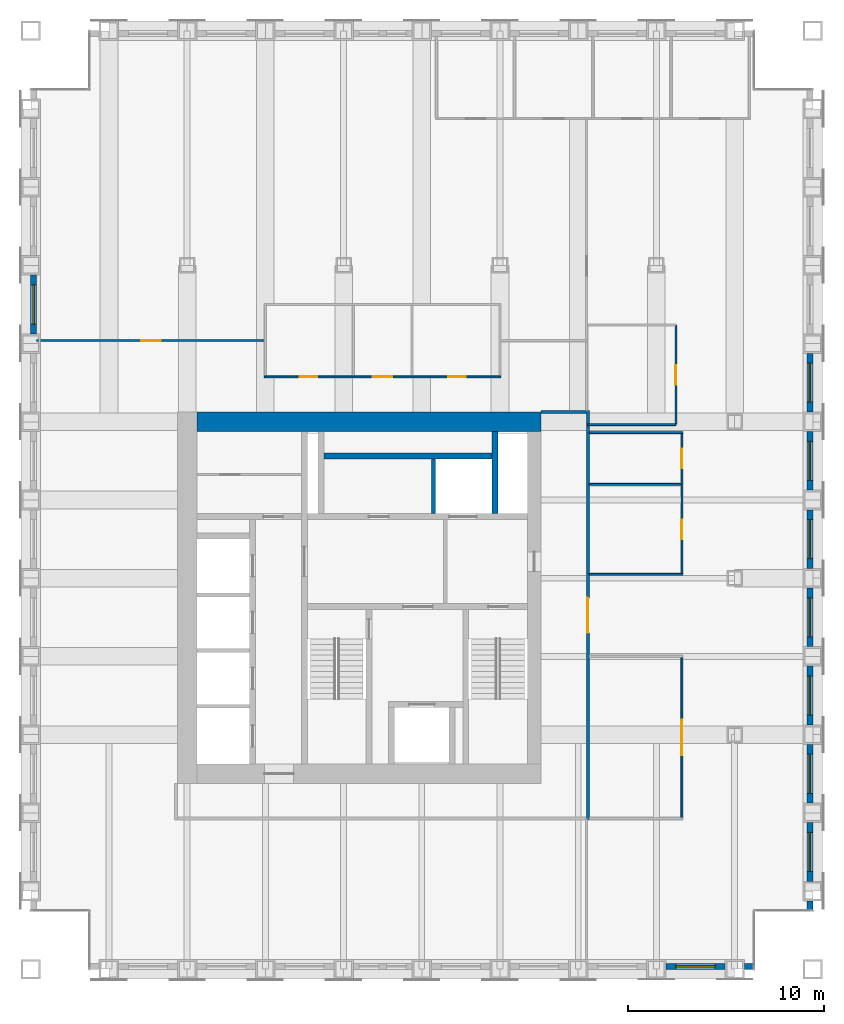
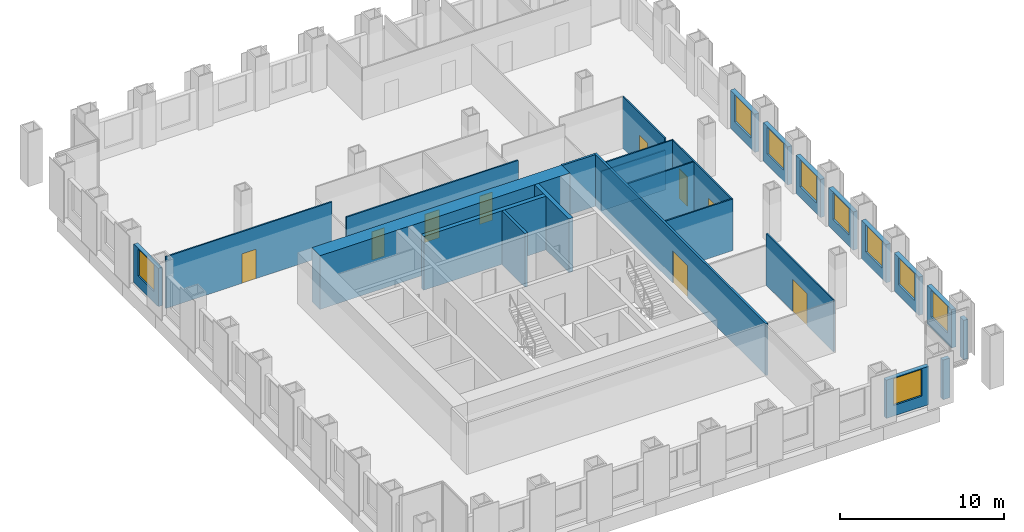
# One storey, part 10 of 13: 26 walls, 9 doors, 9 windows, 18 openings.
"""IFC4 building model written with IfcOpenShell, lengths in metres."""

from ifc_helpers import new_model, si_unit, direction, frame, frame_2d, origin, place, context, subcontext, project, spatial, rectangle, extrude, material, layer, layer_set, type_object, element, fill, save


model = new_model("IFC4")

# Units and contexts
model_context = context("Model", 3, precision=1e-05, world=origin(), true_north=direction((0.0, 1.0)))
body_context = subcontext(model_context, "Body", "Model", "MODEL_VIEW")
ifc_project = project(units=[si_unit("LENGTHUNIT", "METRE"), si_unit("AREAUNIT", "SQUARE_METRE"), si_unit("VOLUMEUNIT", "CUBIC_METRE"), si_unit("PLANEANGLEUNIT", "RADIAN"), si_unit("MASSUNIT", "GRAM", prefix="KILO")], contexts=[model_context])

# Site, building, storey
site_placement = place(None, origin())
site = spatial("IfcSite", under=ifc_project, at=site_placement, CompositionType="ELEMENT")
building_placement = place(site_placement, origin())
building = spatial("IfcBuilding", under=site, at=building_placement, Name="Rimbunsela Tower", CompositionType="ELEMENT")
storey_placement = place(building_placement, frame((0.0, 0.0, 214.199951171875)))
storey = spatial("IfcBuildingStorey", under=building, at=storey_placement, Name="L51", CompositionType="ELEMENT", Elevation=214.199951171875)

# Walls
ifc_material_1 = material(Name="Concrete fc' 80 MPa", Category="concrete")
ifc_layer_1 = layer(ifc_material_1, 0.300048828125)
ifc_layer_set_1 = layer_set([ifc_layer_1], Name="Core internal wall 300")
wall_type_1 = type_object("IfcWallType", Name="Core internal wall 300", PredefinedType="SHEAR", material=ifc_layer_set_1)
wall_1_placement = place(storey_placement, frame((33.75, 31.300048828125, -0.14990234375), z_axis=(0.0, 0.0, 1.0), x_axis=(0.0, 1.0, 0.0)))
element("IfcWall", 1, at=wall_1_placement, inside=storey, type_object=wall_type_1, Name="Riser wall", PredefinedType="SHEAR", context=body_context, shape_type="SweptSolid", body=[
    extrude(rectangle(XDim=4.199951171875, YDim=0.300048828125, at=frame_2d((2.10009765625, 0.0))), origin(), (0.0, 0.0, 1.0), 4.0),
])
wall_2_placement = place(storey_placement, frame((25.0, 34.25, -0.14990234375), z_axis=(0.0, 0.0, 1.0), x_axis=(1.0, 0.0, 0.0)))
element("IfcWall", 2, at=wall_2_placement, inside=storey, type_object=wall_type_1, Name="Lift shaft rear north", PredefinedType="SHEAR", context=body_context, shape_type="SweptSolid", body=[
    extrude(rectangle(XDim=8.60009765625, YDim=0.300048828125, at=frame_2d((4.300048828125, 0.0))), origin(), (0.0, 0.0, 1.0), 4.0),
])
ifc_material_2 = material(Name="Concrete fc' 80 MPa", Category="concrete")
ifc_layer_2 = layer(ifc_material_2, 1.0)
ifc_layer_set_2 = layer_set([ifc_layer_2], Name="Core wall 1000")
wall_type_2 = type_object("IfcWallType", Name="Core wall 1000", PredefinedType="SHEAR", material=ifc_layer_set_2)
wall_3_placement = place(storey_placement, frame((18.5, 36.0, -0.14990234375), z_axis=(0.0, 0.0, 1.0), x_axis=(1.0, 0.0, 0.0)))
element("IfcWall", 3, at=wall_3_placement, inside=storey, type_object=wall_type_2, Name="Core wall north", PredefinedType="SHEAR", context=body_context, shape_type="SweptSolid", body=[
    extrude(rectangle(XDim=17.60009765625, YDim=1.0, at=frame_2d((8.800048828125, 0.0))), origin(), (0.0, 0.0, 1.0), 4.0),
])
ifc_material_3 = material(Name="Concrete blockwork", Category="masonry")
ifc_layer_3 = layer(ifc_material_3, 0.199951171875)
ifc_layer_set_3 = layer_set([ifc_layer_3], Name="Lift shaft wall 200")
wall_type_3 = type_object("IfcWallType", Name="Lift shaft wall 200", PredefinedType="SOLIDWALL", material=ifc_layer_set_3)
wall_4_placement = place(storey_placement, frame((30.60009765625, 31.300048828125, -0.14990234375), z_axis=(0.0, 0.0, 1.0), x_axis=(0.0, 1.0, 0.0)))
element("IfcWall", 4, at=wall_4_placement, inside=storey, type_object=wall_type_3, Name="Lift shaft separation", PredefinedType="SOLIDWALL", context=body_context, shape_type="SweptSolid", body=[
    extrude(rectangle(XDim=2.800048828125, YDim=0.199951171875, at=frame_2d((1.39990234375, 0.0))), origin(), (0.0, 0.0, 1.0), 4.0),
])
ifc_material_4 = material(Name="Gypsum board on steel studs", Category="steel")
ifc_layer_4 = layer(ifc_material_4, 0.10009765625)
ifc_layer_set_4 = layer_set([ifc_layer_4], Name="Office partition 100")
wall_type_4 = type_object("IfcWallType", Name="Office partition 100", PredefinedType="PARTITIONING", material=ifc_layer_set_4)
wall_5_placement = place(storey_placement, frame((38.574951171875, 28.199951171875, 0.0), z_axis=(0.0, 0.0, 1.0), x_axis=(1.0, 0.0, 0.0)))
element("IfcWall", 5, at=wall_5_placement, inside=storey, type_object=wall_type_4, Name="Office partition", PredefinedType="PARTITIONING", context=body_context, shape_type="SweptSolid", body=[
    extrude(rectangle(XDim=4.775146484375, YDim=0.10009765625, at=frame_2d((2.3876953125, 0.0))), origin(), (0.0, 0.0, 1.0), 3.85009765625),
])
wall_6_placement = place(storey_placement, frame((38.574951171875, 32.800048828125, 0.0), z_axis=(0.0, 0.0, 1.0), x_axis=(1.0, 0.0, 0.0)))
element("IfcWall", 6, at=wall_6_placement, inside=storey, type_object=wall_type_4, Name="Office partition", PredefinedType="PARTITIONING", context=body_context, shape_type="SweptSolid", body=[
    extrude(rectangle(XDim=4.675048828125, YDim=0.10009765625, at=frame_2d((2.33740234375, 0.0))), origin(), (0.0, 0.0, 1.0), 3.85009765625),
])
wall_7_placement = place(storey_placement, frame((38.574951171875, 35.449951171875, 0.0), z_axis=(0.0, 0.0, 1.0), x_axis=(1.0, 0.0, 0.0)))
element("IfcWall", 7, at=wall_7_placement, inside=storey, type_object=wall_type_4, Name="Office partition", PredefinedType="PARTITIONING", context=body_context, shape_type="SweptSolid", body=[
    extrude(rectangle(XDim=4.775146484375, YDim=0.10009765625, at=frame_2d((2.3876953125, 0.0))), origin(), (0.0, 0.0, 1.0), 3.85009765625),
])

# Wall, opening, door
wall_8_placement = place(storey_placement, frame((43.300048828125, 15.75, 0.0), z_axis=(0.0, 0.0, 1.0), x_axis=(0.0, 1.0, 0.0)))
wall_8 = element("IfcWall", 8, at=wall_8_placement, inside=storey, type_object=wall_type_4, Name="Office partition", PredefinedType="PARTITIONING", context=body_context, shape_type="SweptSolid", body=[
    extrude(rectangle(XDim=8.199951171875, YDim=0.10009765625, at=frame_2d((4.10009765625, 0.0))), origin(), (0.0, 0.0, 1.0), 3.85009765625),
])
opening_1_placement = place(wall_8_placement, frame((3.199951171875, 0.0, 0.0)))
opening_1 = element("IfcOpeningElement", 9, at=opening_1_placement, cuts=wall_8, Name="Opening D18", PredefinedType="OPENING", context=body_context, shape_type="SweptSolid", body=[
    extrude(rectangle(XDim=1.800048828125, YDim=2.39990234375, at=frame_2d((0.89990234375, 1.199951171875))), frame((0.0, 0.06005859375, 0.0), z_axis=(0.0, -1.0, 0.0), x_axis=(1.0, 0.0, 0.0)), (0.0, 0.0, 1.0), 0.1201171875),
])
ifc_material_5 = material(Name="Glazed aluminium door", Category="aluminium")
door_type_1 = type_object("IfcDoorType", Name="Boardroom door 1800 glazed", OperationType="DOUBLE_DOOR_DOUBLE_SWING", PredefinedType="DOOR", material=ifc_material_5)
door_1_placement = place(opening_1_placement, origin())
door_1 = element("IfcDoor", 10, at=door_1_placement, inside=storey, type_object=door_type_1, Name="Boardroom door", OperationType="DOUBLE_DOOR_DOUBLE_SWING", OverallHeight=2.39990234375, OverallWidth=1.800048828125, PredefinedType="DOOR", context=body_context, shape_type="SweptSolid", body=[
    extrude(rectangle(XDim=1.800048828125, YDim=2.39990234375, at=frame_2d((0.89990234375, 1.199951171875))), frame((0.0, 0.02490234375, 0.0), z_axis=(0.0, -1.0, 0.0), x_axis=(1.0, 0.0, 0.0)), (0.0, 0.0, 1.0), 0.050048828125),
])
fill(opening_1, door_1)

# Wall, openings, doors
wall_9_placement = place(storey_placement, frame((43.300048828125, 28.25, 0.0), z_axis=(0.0, 0.0, 1.0), x_axis=(0.0, 1.0, 0.0)))
wall_9 = element("IfcWall", 11, at=wall_9_placement, inside=storey, type_object=wall_type_4, Name="Office partition", PredefinedType="PARTITIONING", context=body_context, shape_type="SweptSolid", body=[
    extrude(rectangle(XDim=7.14990234375, YDim=0.10009765625, at=frame_2d((3.574951171875, 0.0))), origin(), (0.0, 0.0, 1.0), 3.85009765625),
])
opening_2_placement = place(wall_9_placement, frame((1.75, 0.0, 0.0)))
opening_2 = element("IfcOpeningElement", 12, at=opening_2_placement, cuts=wall_9, Name="Opening D16", PredefinedType="OPENING", context=body_context, shape_type="SweptSolid", body=[
    extrude(rectangle(XDim=1.0, YDim=2.199951171875, at=frame_2d((0.5, 1.10009765625))), frame((0.0, 0.06005859375, 0.0), z_axis=(0.0, -1.0, 0.0), x_axis=(1.0, 0.0, 0.0)), (0.0, 0.0, 1.0), 0.1201171875),
])
opening_3_placement = place(wall_9_placement, frame((5.375, 0.0, 0.0)))
opening_3 = element("IfcOpeningElement", 13, at=opening_3_placement, cuts=wall_9, Name="Opening D16", PredefinedType="OPENING", context=body_context, shape_type="SweptSolid", body=[
    extrude(rectangle(XDim=1.0, YDim=2.199951171875, at=frame_2d((0.5, 1.10009765625))), frame((0.0, 0.06005859375, 0.0), z_axis=(0.0, -1.0, 0.0), x_axis=(1.0, 0.0, 0.0)), (0.0, 0.0, 1.0), 0.1201171875),
])
ifc_material_6 = material(Name="Timber door", Category="wood")
door_type_2 = type_object("IfcDoorType", Name="Office door 1000", OperationType="SINGLE_SWING_LEFT", PredefinedType="DOOR", material=ifc_material_6)
door_2_placement = place(opening_2_placement, origin())
door_2 = element("IfcDoor", 14, at=door_2_placement, inside=storey, type_object=door_type_2, Name="Office door", OperationType="SINGLE_SWING_LEFT", OverallHeight=2.199951171875, OverallWidth=1.0, PredefinedType="DOOR", context=body_context, shape_type="SweptSolid", body=[
    extrude(rectangle(XDim=1.0, YDim=2.199951171875, at=frame_2d((0.5, 1.10009765625))), frame((0.0, 0.02490234375, 0.0), z_axis=(0.0, -1.0, 0.0), x_axis=(1.0, 0.0, 0.0)), (0.0, 0.0, 1.0), 0.050048828125),
])
fill(opening_2, door_2)
door_3_placement = place(opening_3_placement, origin())
door_3 = element("IfcDoor", 15, at=door_3_placement, inside=storey, type_object=door_type_2, Name="Office door", OperationType="SINGLE_SWING_LEFT", OverallHeight=2.199951171875, OverallWidth=1.0, PredefinedType="DOOR", context=body_context, shape_type="SweptSolid", body=[
    extrude(rectangle(XDim=1.0, YDim=2.199951171875, at=frame_2d((0.5, 1.10009765625))), frame((0.0, 0.02490234375, 0.0), z_axis=(0.0, -1.0, 0.0), x_axis=(1.0, 0.0, 0.0)), (0.0, 0.0, 1.0), 0.050048828125),
])
fill(opening_3, door_3)

# Wall, opening, door
wall_10_placement = place(storey_placement, frame((10.300048828125, 40.14990234375, 0.0), z_axis=(0.0, 0.0, 1.0), x_axis=(1.0, 0.0, 0.0)))
wall_10 = element("IfcWall", 16, at=wall_10_placement, inside=storey, type_object=wall_type_4, Name="Office partition", PredefinedType="PARTITIONING", context=body_context, shape_type="SweptSolid", body=[
    extrude(rectangle(XDim=11.699951171875, YDim=0.10009765625, at=frame_2d((5.85009765625, 0.0))), origin(), (0.0, 0.0, 1.0), 3.85009765625),
])
opening_4_placement = place(wall_10_placement, frame((5.35009765625, 0.0, 0.0)))
opening_4 = element("IfcOpeningElement", 17, at=opening_4_placement, cuts=wall_10, Name="Opening D17", PredefinedType="OPENING", context=body_context, shape_type="SweptSolid", body=[
    extrude(rectangle(XDim=1.0, YDim=2.199951171875, at=frame_2d((0.5, 1.10009765625))), frame((0.0, 0.06005859375, 0.0), z_axis=(0.0, -1.0, 0.0), x_axis=(1.0, 0.0, 0.0)), (0.0, 0.0, 1.0), 0.1201171875),
])
ifc_material_7 = material(Name="Glazed aluminium door", Category="aluminium")
door_type_3 = type_object("IfcDoorType", Name="Meeting room door 1000 glazed", OperationType="SINGLE_SWING_RIGHT", PredefinedType="DOOR", material=ifc_material_7)
door_4_placement = place(opening_4_placement, origin())
door_4 = element("IfcDoor", 18, at=door_4_placement, inside=storey, type_object=door_type_3, Name="Open office screen door", OperationType="SINGLE_SWING_RIGHT", OverallHeight=2.199951171875, OverallWidth=1.0, PredefinedType="DOOR", context=body_context, shape_type="SweptSolid", body=[
    extrude(rectangle(XDim=1.0, YDim=2.199951171875, at=frame_2d((0.5, 1.10009765625))), frame((0.0, 0.02490234375, 0.0), z_axis=(0.0, -1.0, 0.0), x_axis=(1.0, 0.0, 0.0)), (0.0, 0.0, 1.0), 0.050048828125),
])
fill(opening_4, door_4)

# Wall
wall_11_placement = place(storey_placement, frame((38.5, 35.85009765625, 0.0), z_axis=(0.0, 0.0, 1.0), x_axis=(1.0, 0.0, 0.0)))
element("IfcWall", 19, at=wall_11_placement, inside=storey, type_object=wall_type_4, Name="Office partition", PredefinedType="PARTITIONING", context=body_context, shape_type="SweptSolid", body=[
    extrude(rectangle(XDim=4.5, YDim=0.10009765625, at=frame_2d((2.25, 0.0))), origin(), (0.0, 0.0, 1.0), 2.949951171875),
])

# Wall, opening, door
wall_12_placement = place(storey_placement, frame((43.0, 35.85009765625, 0.0), z_axis=(0.0, 0.0, 1.0), x_axis=(0.0, 1.0, 0.0)))
wall_12 = element("IfcWall", 20, at=wall_12_placement, inside=storey, type_object=wall_type_4, Name="Office partition", PredefinedType="PARTITIONING", context=body_context, shape_type="SweptSolid", body=[
    extrude(rectangle(XDim=5.099853515625, YDim=0.10009765625, at=frame_2d((2.5498046875, 0.0))), origin(), (0.0, 0.0, 1.0), 3.85009765625),
])
opening_5_placement = place(wall_12_placement, frame((2.050048828125, 0.0, 0.0)))
opening_5 = element("IfcOpeningElement", 21, at=opening_5_placement, cuts=wall_12, Name="Opening D17", PredefinedType="OPENING", context=body_context, shape_type="SweptSolid", body=[
    extrude(rectangle(XDim=1.0, YDim=2.199951171875, at=frame_2d((0.5, 1.10009765625))), frame((0.0, 0.06005859375, 0.0), z_axis=(0.0, -1.0, 0.0), x_axis=(1.0, 0.0, 0.0)), (0.0, 0.0, 1.0), 0.1201171875),
])
door_5_placement = place(opening_5_placement, origin())
door_5 = element("IfcDoor", 22, at=door_5_placement, inside=storey, type_object=door_type_3, Name="Reception door", OperationType="SINGLE_SWING_RIGHT", OverallHeight=2.199951171875, OverallWidth=1.0, PredefinedType="DOOR", context=body_context, shape_type="SweptSolid", body=[
    extrude(rectangle(XDim=1.0, YDim=2.199951171875, at=frame_2d((0.5, 1.10009765625))), frame((0.0, 0.02490234375, 0.0), z_axis=(0.0, -1.0, 0.0), x_axis=(1.0, 0.0, 0.0)), (0.0, 0.0, 1.0), 0.050048828125),
])
fill(opening_5, door_5)

# Wall, opening, window
ifc_material_8 = material(Name="Precast concrete fc' 35 MPa", Category="concrete")
ifc_layer_5 = layer(ifc_material_8, 0.300048828125)
ifc_layer_set_5 = layer_set([ifc_layer_5], Name="Precast concrete fc' 35 MPa")
wall_type_5 = type_object("IfcWallType", Name="Precast facade panel 300", PredefinedType="ELEMENTEDWALL", material=ifc_layer_set_5)
wall_13_placement = place(storey_placement, frame((42.5, 8.14990234375, 0.0), z_axis=(0.0, 0.0, 1.0), x_axis=(1.0, 0.0, 0.0)))
wall_13 = element("IfcWall", 23, at=wall_13_placement, inside=storey, type_object=wall_type_5, Name="Facade panel S L51", PredefinedType="ELEMENTEDWALL", context=body_context, shape_type="SweptSolid", body=[
    extrude(rectangle(XDim=3.0, YDim=0.300048828125, at=frame_2d((1.5, 0.0))), origin(), (0.0, 0.0, 1.0), 2.85009765625),
])
opening_6_placement = place(wall_13_placement, frame((0.5, 0.0, 0.800048828125)))
opening_6 = element("IfcOpeningElement", 24, at=opening_6_placement, cuts=wall_13, Name="Opening W1", PredefinedType="OPENING", context=body_context, shape_type="SweptSolid", body=[
    extrude(rectangle(XDim=2.0, YDim=2.0, at=frame_2d((1.0, 1.0))), frame((0.0, 0.159912109375, 0.0), z_axis=(0.0, -1.0, 0.0), x_axis=(1.0, 0.0, 0.0)), (0.0, 0.0, 1.0), 0.320068359375),
])
ifc_material_9 = material(Name="Clear glass in aluminium frame", Category="aluminium")
window_type = type_object("IfcWindowType", Name="Window W1 2000x2000", PartitioningType="DOUBLE_PANEL_VERTICAL", PredefinedType="WINDOW", material=ifc_material_9)
window_1_placement = place(opening_6_placement, origin())
window_1 = element("IfcWindow", 25, at=window_1_placement, inside=storey, type_object=window_type, Name="Window L51", OverallHeight=2.0, OverallWidth=2.0, PartitioningType="SINGLE_PANEL", PredefinedType="WINDOW", context=body_context, shape_type="SweptSolid", body=[
    extrude(rectangle(XDim=2.0, YDim=2.0, at=frame_2d((1.0, 1.0))), frame((0.0, 0.030029296875, 0.0), z_axis=(0.0, -1.0, 0.0), x_axis=(1.0, 0.0, 0.0)), (0.0, 0.0, 1.0), 0.06005859375),
])
fill(opening_6, window_1)

# Walls
for number, where, z_axis, x_axis, name in (
    (26, (46.5, 8.14990234375, 0.0), (0.0, 0.0, 1.0), (1.0, 0.0, 0.0), "Facade panel S L51"),
    (27, (49.85009765625, 11.030029296875, 0.0), (0.0, 0.0, 1.0), (0.0, 1.0, 0.0), "Facade panel E L51"),
):
    element("IfcWall", number, at=place(storey_placement, frame(where, z_axis=z_axis, x_axis=x_axis)), inside=storey, type_object=wall_type_5, Name=name, PredefinedType="ELEMENTEDWALL", context=body_context, shape_type="SweptSolid", body=[
        extrude(rectangle(XDim=0.469970703125, YDim=0.300048828125, at=frame_2d((0.23486328125, 0.0))), origin(), (0.0, 0.0, 1.0), 2.949951171875),
    ])

# Wall, opening, window
wall_14_placement = place(storey_placement, frame((49.85009765625, 12.5, 0.0), z_axis=(0.0, 0.0, 1.0), x_axis=(0.0, 1.0, 0.0)))
wall_14 = element("IfcWall", 28, at=wall_14_placement, inside=storey, type_object=wall_type_5, Name="Facade panel E L51", PredefinedType="ELEMENTEDWALL", context=body_context, shape_type="SweptSolid", body=[
    extrude(rectangle(XDim=3.0, YDim=0.300048828125, at=frame_2d((1.5, 0.0))), origin(), (0.0, 0.0, 1.0), 2.85009765625),
])
opening_7_placement = place(wall_14_placement, frame((0.5, 0.0, 0.800048828125)))
opening_7 = element("IfcOpeningElement", 29, at=opening_7_placement, cuts=wall_14, Name="Opening W1", PredefinedType="OPENING", context=body_context, shape_type="SweptSolid", body=[
    extrude(rectangle(XDim=2.0, YDim=2.0, at=frame_2d((1.0, 1.0))), frame((0.0, 0.159912109375, 0.0), z_axis=(0.0, -1.0, 0.0), x_axis=(1.0, 0.0, 0.0)), (0.0, 0.0, 1.0), 0.320068359375),
])
window_2_placement = place(opening_7_placement, origin())
window_2 = element("IfcWindow", 30, at=window_2_placement, inside=storey, type_object=window_type, Name="Window L51", OverallHeight=2.0, OverallWidth=2.0, PartitioningType="SINGLE_PANEL", PredefinedType="WINDOW", context=body_context, shape_type="SweptSolid", body=[
    extrude(rectangle(XDim=2.0, YDim=2.0, at=frame_2d((1.0, 1.0))), frame((0.0, 0.030029296875, 0.0), z_axis=(0.0, -1.0, 0.0), x_axis=(1.0, 0.0, 0.0)), (0.0, 0.0, 1.0), 0.06005859375),
])
fill(opening_7, window_2)

wall_15_placement = place(storey_placement, frame((49.85009765625, 16.5, 0.0), z_axis=(0.0, 0.0, 1.0), x_axis=(0.0, 1.0, 0.0)))
wall_15 = element("IfcWall", 31, at=wall_15_placement, inside=storey, type_object=wall_type_5, Name="Facade panel E L51", PredefinedType="ELEMENTEDWALL", context=body_context, shape_type="SweptSolid", body=[
    extrude(rectangle(XDim=3.0, YDim=0.300048828125, at=frame_2d((1.5, 0.0))), origin(), (0.0, 0.0, 1.0), 2.85009765625),
])
opening_8_placement = place(wall_15_placement, frame((0.5, 0.0, 0.800048828125)))
opening_8 = element("IfcOpeningElement", 32, at=opening_8_placement, cuts=wall_15, Name="Opening W1", PredefinedType="OPENING", context=body_context, shape_type="SweptSolid", body=[
    extrude(rectangle(XDim=2.0, YDim=2.0, at=frame_2d((1.0, 1.0))), frame((0.0, 0.159912109375, 0.0), z_axis=(0.0, -1.0, 0.0), x_axis=(1.0, 0.0, 0.0)), (0.0, 0.0, 1.0), 0.320068359375),
])
window_3_placement = place(opening_8_placement, origin())
window_3 = element("IfcWindow", 33, at=window_3_placement, inside=storey, type_object=window_type, Name="Window L51", OverallHeight=2.0, OverallWidth=2.0, PartitioningType="SINGLE_PANEL", PredefinedType="WINDOW", context=body_context, shape_type="SweptSolid", body=[
    extrude(rectangle(XDim=2.0, YDim=2.0, at=frame_2d((1.0, 1.0))), frame((0.0, 0.030029296875, 0.0), z_axis=(0.0, -1.0, 0.0), x_axis=(1.0, 0.0, 0.0)), (0.0, 0.0, 1.0), 0.06005859375),
])
fill(opening_8, window_3)

wall_16_placement = place(storey_placement, frame((49.85009765625, 20.5, 0.0), z_axis=(0.0, 0.0, 1.0), x_axis=(0.0, 1.0, 0.0)))
wall_16 = element("IfcWall", 34, at=wall_16_placement, inside=storey, type_object=wall_type_5, Name="Facade panel E L51", PredefinedType="ELEMENTEDWALL", context=body_context, shape_type="SweptSolid", body=[
    extrude(rectangle(XDim=3.0, YDim=0.300048828125, at=frame_2d((1.5, 0.0))), origin(), (0.0, 0.0, 1.0), 2.85009765625),
])
opening_9_placement = place(wall_16_placement, frame((0.5, 0.0, 0.800048828125)))
opening_9 = element("IfcOpeningElement", 35, at=opening_9_placement, cuts=wall_16, Name="Opening W1", PredefinedType="OPENING", context=body_context, shape_type="SweptSolid", body=[
    extrude(rectangle(XDim=2.0, YDim=2.0, at=frame_2d((1.0, 1.0))), frame((0.0, 0.159912109375, 0.0), z_axis=(0.0, -1.0, 0.0), x_axis=(1.0, 0.0, 0.0)), (0.0, 0.0, 1.0), 0.320068359375),
])
window_4_placement = place(opening_9_placement, origin())
window_4 = element("IfcWindow", 36, at=window_4_placement, inside=storey, type_object=window_type, Name="Window L51", OverallHeight=2.0, OverallWidth=2.0, PartitioningType="SINGLE_PANEL", PredefinedType="WINDOW", context=body_context, shape_type="SweptSolid", body=[
    extrude(rectangle(XDim=2.0, YDim=2.0, at=frame_2d((1.0, 1.0))), frame((0.0, 0.030029296875, 0.0), z_axis=(0.0, -1.0, 0.0), x_axis=(1.0, 0.0, 0.0)), (0.0, 0.0, 1.0), 0.06005859375),
])
fill(opening_9, window_4)

wall_17_placement = place(storey_placement, frame((49.85009765625, 24.5, 0.0), z_axis=(0.0, 0.0, 1.0), x_axis=(0.0, 1.0, 0.0)))
wall_17 = element("IfcWall", 37, at=wall_17_placement, inside=storey, type_object=wall_type_5, Name="Facade panel E L51", PredefinedType="ELEMENTEDWALL", context=body_context, shape_type="SweptSolid", body=[
    extrude(rectangle(XDim=3.0, YDim=0.300048828125, at=frame_2d((1.5, 0.0))), origin(), (0.0, 0.0, 1.0), 2.85009765625),
])
opening_10_placement = place(wall_17_placement, frame((0.5, 0.0, 0.800048828125)))
opening_10 = element("IfcOpeningElement", 38, at=opening_10_placement, cuts=wall_17, Name="Opening W1", PredefinedType="OPENING", context=body_context, shape_type="SweptSolid", body=[
    extrude(rectangle(XDim=2.0, YDim=2.0, at=frame_2d((1.0, 1.0))), frame((0.0, 0.159912109375, 0.0), z_axis=(0.0, -1.0, 0.0), x_axis=(1.0, 0.0, 0.0)), (0.0, 0.0, 1.0), 0.320068359375),
])
window_5_placement = place(opening_10_placement, origin())
window_5 = element("IfcWindow", 39, at=window_5_placement, inside=storey, type_object=window_type, Name="Window L51", OverallHeight=2.0, OverallWidth=2.0, PartitioningType="SINGLE_PANEL", PredefinedType="WINDOW", context=body_context, shape_type="SweptSolid", body=[
    extrude(rectangle(XDim=2.0, YDim=2.0, at=frame_2d((1.0, 1.0))), frame((0.0, 0.030029296875, 0.0), z_axis=(0.0, -1.0, 0.0), x_axis=(1.0, 0.0, 0.0)), (0.0, 0.0, 1.0), 0.06005859375),
])
fill(opening_10, window_5)

wall_18_placement = place(storey_placement, frame((49.85009765625, 28.5, 0.0), z_axis=(0.0, 0.0, 1.0), x_axis=(0.0, 1.0, 0.0)))
wall_18 = element("IfcWall", 40, at=wall_18_placement, inside=storey, type_object=wall_type_5, Name="Facade panel E L51", PredefinedType="ELEMENTEDWALL", context=body_context, shape_type="SweptSolid", body=[
    extrude(rectangle(XDim=3.0, YDim=0.300048828125, at=frame_2d((1.5, 0.0))), origin(), (0.0, 0.0, 1.0), 2.85009765625),
])
opening_11_placement = place(wall_18_placement, frame((0.5, 0.0, 0.800048828125)))
opening_11 = element("IfcOpeningElement", 41, at=opening_11_placement, cuts=wall_18, Name="Opening W1", PredefinedType="OPENING", context=body_context, shape_type="SweptSolid", body=[
    extrude(rectangle(XDim=2.0, YDim=2.0, at=frame_2d((1.0, 1.0))), frame((0.0, 0.159912109375, 0.0), z_axis=(0.0, -1.0, 0.0), x_axis=(1.0, 0.0, 0.0)), (0.0, 0.0, 1.0), 0.320068359375),
])
window_6_placement = place(opening_11_placement, origin())
window_6 = element("IfcWindow", 42, at=window_6_placement, inside=storey, type_object=window_type, Name="Window L51", OverallHeight=2.0, OverallWidth=2.0, PartitioningType="SINGLE_PANEL", PredefinedType="WINDOW", context=body_context, shape_type="SweptSolid", body=[
    extrude(rectangle(XDim=2.0, YDim=2.0, at=frame_2d((1.0, 1.0))), frame((0.0, 0.030029296875, 0.0), z_axis=(0.0, -1.0, 0.0), x_axis=(1.0, 0.0, 0.0)), (0.0, 0.0, 1.0), 0.06005859375),
])
fill(opening_11, window_6)

wall_19_placement = place(storey_placement, frame((49.85009765625, 32.5, 0.0), z_axis=(0.0, 0.0, 1.0), x_axis=(0.0, 1.0, 0.0)))
wall_19 = element("IfcWall", 43, at=wall_19_placement, inside=storey, type_object=wall_type_5, Name="Facade panel E L51", PredefinedType="ELEMENTEDWALL", context=body_context, shape_type="SweptSolid", body=[
    extrude(rectangle(XDim=3.0, YDim=0.300048828125, at=frame_2d((1.5, 0.0))), origin(), (0.0, 0.0, 1.0), 2.85009765625),
])
opening_12_placement = place(wall_19_placement, frame((0.5, 0.0, 0.800048828125)))
opening_12 = element("IfcOpeningElement", 44, at=opening_12_placement, cuts=wall_19, Name="Opening W1", PredefinedType="OPENING", context=body_context, shape_type="SweptSolid", body=[
    extrude(rectangle(XDim=2.0, YDim=2.0, at=frame_2d((1.0, 1.0))), frame((0.0, 0.159912109375, 0.0), z_axis=(0.0, -1.0, 0.0), x_axis=(1.0, 0.0, 0.0)), (0.0, 0.0, 1.0), 0.320068359375),
])
window_7_placement = place(opening_12_placement, origin())
window_7 = element("IfcWindow", 45, at=window_7_placement, inside=storey, type_object=window_type, Name="Window L51", OverallHeight=2.0, OverallWidth=2.0, PartitioningType="SINGLE_PANEL", PredefinedType="WINDOW", context=body_context, shape_type="SweptSolid", body=[
    extrude(rectangle(XDim=2.0, YDim=2.0, at=frame_2d((1.0, 1.0))), frame((0.0, 0.030029296875, 0.0), z_axis=(0.0, -1.0, 0.0), x_axis=(1.0, 0.0, 0.0)), (0.0, 0.0, 1.0), 0.06005859375),
])
fill(opening_12, window_7)

wall_20_placement = place(storey_placement, frame((49.85009765625, 36.5, 0.0), z_axis=(0.0, 0.0, 1.0), x_axis=(0.0, 1.0, 0.0)))
wall_20 = element("IfcWall", 46, at=wall_20_placement, inside=storey, type_object=wall_type_5, Name="Facade panel E L51", PredefinedType="ELEMENTEDWALL", context=body_context, shape_type="SweptSolid", body=[
    extrude(rectangle(XDim=3.0, YDim=0.300048828125, at=frame_2d((1.5, 0.0))), origin(), (0.0, 0.0, 1.0), 2.85009765625),
])
opening_13_placement = place(wall_20_placement, frame((0.5, 0.0, 0.800048828125)))
opening_13 = element("IfcOpeningElement", 47, at=opening_13_placement, cuts=wall_20, Name="Opening W1", PredefinedType="OPENING", context=body_context, shape_type="SweptSolid", body=[
    extrude(rectangle(XDim=2.0, YDim=2.0, at=frame_2d((1.0, 1.0))), frame((0.0, 0.159912109375, 0.0), z_axis=(0.0, -1.0, 0.0), x_axis=(1.0, 0.0, 0.0)), (0.0, 0.0, 1.0), 0.320068359375),
])
window_8_placement = place(opening_13_placement, origin())
window_8 = element("IfcWindow", 48, at=window_8_placement, inside=storey, type_object=window_type, Name="Window L51", OverallHeight=2.0, OverallWidth=2.0, PartitioningType="SINGLE_PANEL", PredefinedType="WINDOW", context=body_context, shape_type="SweptSolid", body=[
    extrude(rectangle(XDim=2.0, YDim=2.0, at=frame_2d((1.0, 1.0))), frame((0.0, 0.030029296875, 0.0), z_axis=(0.0, -1.0, 0.0), x_axis=(1.0, 0.0, 0.0)), (0.0, 0.0, 1.0), 0.06005859375),
])
fill(opening_13, window_8)

wall_21_placement = place(storey_placement, frame((10.14990234375, 43.5, 0.0), z_axis=(0.0, 0.0, 1.0), x_axis=(0.0, -1.0, 0.0)))
wall_21 = element("IfcWall", 49, at=wall_21_placement, inside=storey, type_object=wall_type_5, Name="Facade panel W L51", PredefinedType="ELEMENTEDWALL", context=body_context, shape_type="SweptSolid", body=[
    extrude(rectangle(XDim=3.0, YDim=0.300048828125, at=frame_2d((1.5, 0.0))), origin(), (0.0, 0.0, 1.0), 2.85009765625),
])
opening_14_placement = place(wall_21_placement, frame((0.5, 0.0, 0.800048828125)))
opening_14 = element("IfcOpeningElement", 50, at=opening_14_placement, cuts=wall_21, Name="Opening W1", PredefinedType="OPENING", context=body_context, shape_type="SweptSolid", body=[
    extrude(rectangle(XDim=2.0, YDim=2.0, at=frame_2d((1.0, 1.0))), frame((0.0, 0.159912109375, 0.0), z_axis=(0.0, -1.0, 0.0), x_axis=(1.0, 0.0, 0.0)), (0.0, 0.0, 1.0), 0.320068359375),
])
window_9_placement = place(opening_14_placement, origin())
window_9 = element("IfcWindow", 51, at=window_9_placement, inside=storey, type_object=window_type, Name="Window L51", OverallHeight=2.0, OverallWidth=2.0, PartitioningType="SINGLE_PANEL", PredefinedType="WINDOW", context=body_context, shape_type="SweptSolid", body=[
    extrude(rectangle(XDim=2.0, YDim=2.0, at=frame_2d((1.0, 1.0))), frame((0.0, 0.030029296875, 0.0), z_axis=(0.0, -1.0, 0.0), x_axis=(1.0, 0.0, 0.0)), (0.0, 0.0, 1.0), 0.06005859375),
])
fill(opening_14, window_9)

# Wall, opening, door
ifc_material_10 = material(Name="Fire-rated gypsum board on steel studs, EI 60", Category="steel")
ifc_layer_6 = layer(ifc_material_10, 0.14990234375)
ifc_layer_set_6 = layer_set([ifc_layer_6], Name="Rated corridor wall 150")
wall_type_6 = type_object("IfcWallType", Name="Rated corridor wall 150", PredefinedType="PARTITIONING", material=ifc_layer_set_6)
wall_22_placement = place(storey_placement, frame((38.5, 15.625, 0.0), z_axis=(0.0, 0.0, 1.0), x_axis=(0.0, 1.0, 0.0)))
wall_22 = element("IfcWall", 52, at=wall_22_placement, inside=storey, type_object=wall_type_6, Name="Corridor wall east", PredefinedType="PARTITIONING", context=body_context, shape_type="SweptSolid", body=[
    extrude(rectangle(XDim=20.949951171875, YDim=0.14990234375, at=frame_2d((10.47509765625, 0.0))), origin(), (0.0, 0.0, 1.0), 3.85009765625),
])
opening_15_placement = place(wall_22_placement, frame((9.574951171875, 0.0, 0.0)))
opening_15 = element("IfcOpeningElement", 53, at=opening_15_placement, cuts=wall_22, Name="Opening D09", PredefinedType="OPENING", context=body_context, shape_type="SweptSolid", body=[
    extrude(rectangle(XDim=1.800048828125, YDim=2.39990234375, at=frame_2d((0.89990234375, 1.199951171875))), frame((0.0, 0.0849609375, 0.0), z_axis=(0.0, -1.0, 0.0), x_axis=(1.0, 0.0, 0.0)), (0.0, 0.0, 1.0), 0.169921875),
])
ifc_material_11 = material(Name="Glazed aluminium door, fire rated", Category="aluminium")
door_type_4 = type_object("IfcDoorType", Name="Tenancy door 1800 glazed", OperationType="DOUBLE_DOOR_DOUBLE_SWING", PredefinedType="DOOR", material=ifc_material_11)
door_6_placement = place(opening_15_placement, origin())
door_6 = element("IfcDoor", 54, at=door_6_placement, inside=storey, type_object=door_type_4, Name="Tenancy door", OperationType="DOUBLE_DOOR_DOUBLE_SWING", OverallHeight=2.39990234375, OverallWidth=1.800048828125, PredefinedType="DOOR", context=body_context, shape_type="SweptSolid", body=[
    extrude(rectangle(XDim=1.800048828125, YDim=2.39990234375, at=frame_2d((0.89990234375, 1.199951171875))), frame((0.0, 0.02490234375, 0.0), z_axis=(0.0, -1.0, 0.0), x_axis=(1.0, 0.0, 0.0)), (0.0, 0.0, 1.0), 0.050048828125),
])
fill(opening_15, door_6)

# Wall
wall_23_placement = place(storey_placement, frame((36.10009765625, 36.5, 0.0), z_axis=(0.0, 0.0, 1.0), x_axis=(1.0, 0.0, 0.0)))
element("IfcWall", 55, at=wall_23_placement, inside=storey, type_object=wall_type_6, Name="Corridor end wall north", PredefinedType="PARTITIONING", context=body_context, shape_type="SweptSolid", body=[
    extrude(rectangle(XDim=2.324951171875, YDim=0.14990234375, at=frame_2d((1.16259765625, 0.0))), origin(), (0.0, 0.0, 1.0), 3.85009765625),
])

# Wall, openings, doors
ifc_material_12 = material(Name="Concrete blockwork", Category="masonry")
ifc_layer_7 = layer(ifc_material_12, 0.10009765625)
ifc_layer_set_7 = layer_set([ifc_layer_7], Name="Toilet partition 100")
wall_type_7 = type_object("IfcWallType", Name="Toilet partition 100", PredefinedType="PARTITIONING", material=ifc_layer_set_7)
wall_24_placement = place(storey_placement, frame((21.949951171875, 38.300048828125, 0.0), z_axis=(0.0, 0.0, 1.0), x_axis=(1.0, 0.0, 0.0)))
wall_24 = element("IfcWall", 56, at=wall_24_placement, inside=storey, type_object=wall_type_7, Name="Toilet block wall south", PredefinedType="PARTITIONING", context=body_context, shape_type="SweptSolid", body=[
    extrude(rectangle(XDim=12.10009765625, YDim=0.10009765625, at=frame_2d((6.050048828125, 0.0))), origin(), (0.0, 0.0, 1.0), 3.85009765625),
])
opening_16_placement = place(wall_24_placement, frame((1.800048828125, 0.0, 0.0)))
opening_16 = element("IfcOpeningElement", 57, at=opening_16_placement, cuts=wall_24, Name="Opening D04", PredefinedType="OPENING", context=body_context, shape_type="SweptSolid", body=[
    extrude(rectangle(XDim=0.89990234375, YDim=2.10009765625, at=frame_2d((0.449951171875, 1.050048828125))), frame((0.0, 0.06005859375, 0.0), z_axis=(0.0, -1.0, 0.0), x_axis=(1.0, 0.0, 0.0)), (0.0, 0.0, 1.0), 0.1201171875),
])
opening_17_placement = place(wall_24_placement, frame((5.550048828125, 0.0, 0.0)))
opening_17 = element("IfcOpeningElement", 58, at=opening_17_placement, cuts=wall_24, Name="Opening D05", PredefinedType="OPENING", context=body_context, shape_type="SweptSolid", body=[
    extrude(rectangle(XDim=1.0, YDim=2.10009765625, at=frame_2d((0.5, 1.050048828125))), frame((0.0, 0.06005859375, 0.0), z_axis=(0.0, -1.0, 0.0), x_axis=(1.0, 0.0, 0.0)), (0.0, 0.0, 1.0), 0.1201171875),
])
opening_18_placement = place(wall_24_placement, frame((9.39990234375, 0.0, 0.0)))
opening_18 = element("IfcOpeningElement", 59, at=opening_18_placement, cuts=wall_24, Name="Opening D04", PredefinedType="OPENING", context=body_context, shape_type="SweptSolid", body=[
    extrude(rectangle(XDim=0.89990234375, YDim=2.10009765625, at=frame_2d((0.449951171875, 1.050048828125))), frame((0.0, 0.06005859375, 0.0), z_axis=(0.0, -1.0, 0.0), x_axis=(1.0, 0.0, 0.0)), (0.0, 0.0, 1.0), 0.1201171875),
])
ifc_material_13 = material(Name="Timber door", Category="wood")
door_type_5 = type_object("IfcDoorType", Name="Accessible WC door 1000", OperationType="SLIDING_TO_LEFT", PredefinedType="DOOR", material=ifc_material_13)
door_7_placement = place(opening_17_placement, origin())
door_7 = element("IfcDoor", 60, at=door_7_placement, inside=storey, type_object=door_type_5, Name="Accessible WC door", OperationType="SLIDING_TO_LEFT", OverallHeight=2.10009765625, OverallWidth=1.0, PredefinedType="DOOR", context=body_context, shape_type="SweptSolid", body=[
    extrude(rectangle(XDim=1.0, YDim=2.10009765625, at=frame_2d((0.5, 1.050048828125))), frame((0.0, 0.02490234375, 0.0), z_axis=(0.0, -1.0, 0.0), x_axis=(1.0, 0.0, 0.0)), (0.0, 0.0, 1.0), 0.050048828125),
])
fill(opening_17, door_7)
ifc_material_14 = material(Name="Timber door", Category="wood")
door_type_6 = type_object("IfcDoorType", Name="Toilet door 900", OperationType="SINGLE_SWING_LEFT", PredefinedType="DOOR", material=ifc_material_14)
door_8_placement = place(opening_16_placement, origin())
door_8 = element("IfcDoor", 61, at=door_8_placement, inside=storey, type_object=door_type_6, Name="Female WC door", OperationType="SINGLE_SWING_LEFT", OverallHeight=2.10009765625, OverallWidth=0.89990234375, PredefinedType="DOOR", context=body_context, shape_type="SweptSolid", body=[
    extrude(rectangle(XDim=0.89990234375, YDim=2.10009765625, at=frame_2d((0.449951171875, 1.050048828125))), frame((0.0, 0.02490234375, 0.0), z_axis=(0.0, -1.0, 0.0), x_axis=(1.0, 0.0, 0.0)), (0.0, 0.0, 1.0), 0.050048828125),
])
fill(opening_16, door_8)
door_9_placement = place(opening_18_placement, origin())
door_9 = element("IfcDoor", 62, at=door_9_placement, inside=storey, type_object=door_type_6, Name="Male WC door", OperationType="SINGLE_SWING_LEFT", OverallHeight=2.10009765625, OverallWidth=0.89990234375, PredefinedType="DOOR", context=body_context, shape_type="SweptSolid", body=[
    extrude(rectangle(XDim=0.89990234375, YDim=2.10009765625, at=frame_2d((0.449951171875, 1.050048828125))), frame((0.0, 0.02490234375, 0.0), z_axis=(0.0, -1.0, 0.0), x_axis=(1.0, 0.0, 0.0)), (0.0, 0.0, 1.0), 0.050048828125),
])
fill(opening_18, door_9)

save(model, "model.ifc")
